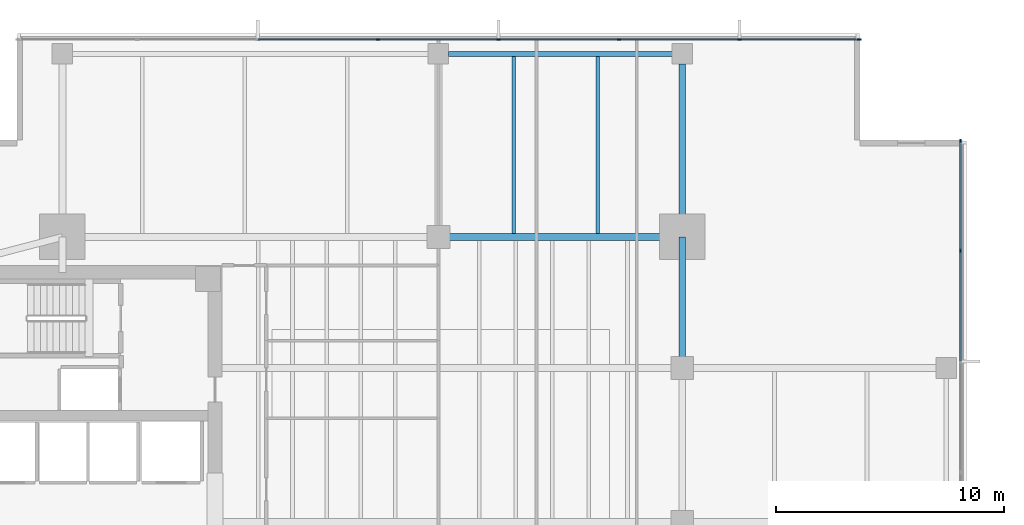
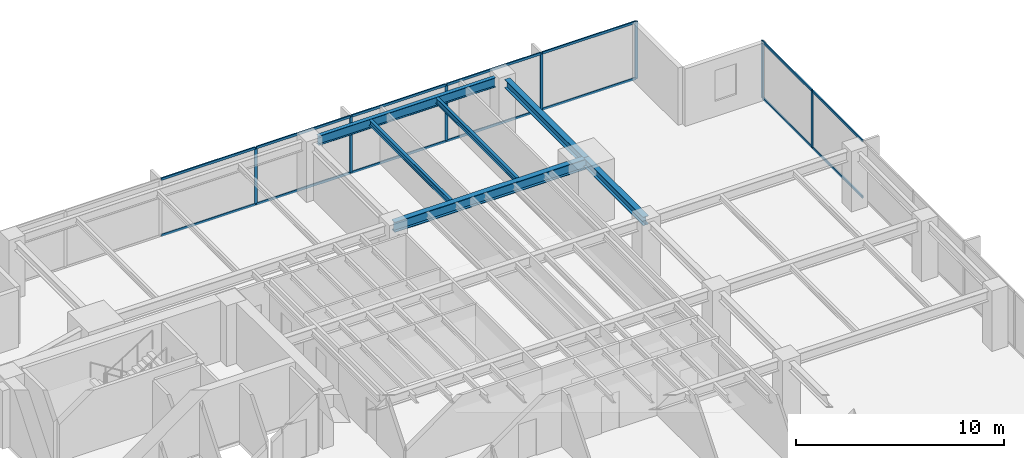
# One storey, part 6 of 14: 21 members, 6 beams, 2 elements without a shape of their own.
"""IFC4 building model written with IfcOpenShell, lengths in metres."""

from ifc_helpers import new_model, si_unit, direction, frame, origin, origin_2d, place, context, subcontext, project, spatial, rectangle, i_section, extrude, material, layer, layer_set, material_profile, profile_set, type_object, element, aggregate, save


model = new_model("IFC4")

# Units and contexts
model_context = context("Model", 3, precision=1e-05, world=origin(), true_north=direction((0.0, 1.0)))
body_context = subcontext(model_context, "Body", "Model", "MODEL_VIEW")
ifc_project = project(units=[si_unit("LENGTHUNIT", "METRE"), si_unit("AREAUNIT", "SQUARE_METRE"), si_unit("VOLUMEUNIT", "CUBIC_METRE"), si_unit("PLANEANGLEUNIT", "RADIAN"), si_unit("MASSUNIT", "GRAM", prefix="KILO")], contexts=[model_context])

# Site, building, storey
site_placement = place(None, origin())
site = spatial("IfcSite", under=ifc_project, at=site_placement, CompositionType="ELEMENT")
building_placement = place(site_placement, origin())
building = spatial("IfcBuilding", under=site, at=building_placement, Name="Kinhvarn Gate Tower", CompositionType="ELEMENT")
storey_placement = place(building_placement, frame((0.0, 0.0, 130.64990234375)))
storey = spatial("IfcBuildingStorey", under=building, at=storey_placement, Name="L34", CompositionType="ELEMENT", Elevation=130.64990234375)

# Curtain wall, members
ifc_material_1 = material(Name="Anodised aluminium AW-6063", Category="aluminium")
ifc_layer = layer(ifc_material_1, 0.179931640625)
ifc_layer_set = layer_set([ifc_layer], Name="Anodised aluminium AW-6063")
curtain_wall_type = type_object("IfcCurtainWallType", Name="CW-SYS-3", PredefinedType="NOTDEFINED", material=ifc_layer_set)
curtain_wall_1_placement = place(storey_placement, origin())
curtain_wall_1 = element("IfcCurtainWall", 1, at=curtain_wall_1_placement, inside=storey, type_object=curtain_wall_type, Name="Curtain Wall CW3 (L34)", PredefinedType="NOTDEFINED")
ifc_material_profile_1 = material_profile(ifc_material_1, rectangle(XDim=0.06494140625, YDim=0.159912109375, at=origin_2d()), Name="ALU 65x160")
ifc_profile_set_1 = profile_set([ifc_material_profile_1], Name="Anodised aluminium AW-6063")
member_type_1 = type_object("IfcMemberType", Name="CW-MUL-160", PredefinedType="MULLION", material=ifc_profile_set_1)
member_1_placement = place(storey_placement, frame((45.967529296875, 46.409912109375, 0.0), z_axis=(0.0, 0.0, 1.0), x_axis=(0.0, -1.0, 0.0)))
member_1 = element("IfcMember", 2, at=member_1_placement, type_object=member_type_1, Name="CW3 mullion 1", PredefinedType="MULLION", context=body_context, shape_type="SweptSolid", body=[
    extrude(rectangle(XDim=0.06494140625, YDim=0.159912109375, at=origin_2d()), origin(), (0.0, 0.0, 1.0), 3.3701171875),
])
member_2_placement = place(storey_placement, frame((40.71435546875, 46.409912109375, 0.0), z_axis=(0.0, 0.0, 1.0), x_axis=(0.0, -1.0, 0.0)))
member_2 = element("IfcMember", 3, at=member_2_placement, type_object=member_type_1, Name="CW3 mullion 2", PredefinedType="MULLION", context=body_context, shape_type="SweptSolid", body=[
    extrude(rectangle(XDim=0.06494140625, YDim=0.159912109375, at=origin_2d()), origin(), (0.0, 0.0, 1.0), 3.3701171875),
])
member_3_placement = place(storey_placement, frame((35.428466796875, 46.409912109375, 0.0), z_axis=(0.0, 0.0, 1.0), x_axis=(0.0, -1.0, 0.0)))
member_3 = element("IfcMember", 4, at=member_3_placement, type_object=member_type_1, Name="CW3 mullion 3", PredefinedType="MULLION", context=body_context, shape_type="SweptSolid", body=[
    extrude(rectangle(XDim=0.06494140625, YDim=0.159912109375, at=origin_2d()), origin(), (0.0, 0.0, 1.0), 3.3701171875),
])
member_4_placement = place(storey_placement, frame((30.142822265625, 46.409912109375, 0.0), z_axis=(0.0, 0.0, 1.0), x_axis=(0.0, -1.0, 0.0)))
member_4 = element("IfcMember", 5, at=member_4_placement, type_object=member_type_1, Name="CW3 mullion 4", PredefinedType="MULLION", context=body_context, shape_type="SweptSolid", body=[
    extrude(rectangle(XDim=0.06494140625, YDim=0.159912109375, at=origin_2d()), origin(), (0.0, 0.0, 1.0), 3.3701171875),
])
member_5_placement = place(storey_placement, frame((24.857177734375, 46.409912109375, 0.0), z_axis=(0.0, 0.0, 1.0), x_axis=(0.0, -1.0, 0.0)))
member_5 = element("IfcMember", 6, at=member_5_placement, type_object=member_type_1, Name="CW3 mullion 5", PredefinedType="MULLION", context=body_context, shape_type="SweptSolid", body=[
    extrude(rectangle(XDim=0.06494140625, YDim=0.159912109375, at=origin_2d()), origin(), (0.0, 0.0, 1.0), 3.3701171875),
])

curtain_wall_2_placement = place(storey_placement, origin())
curtain_wall_2 = element("IfcCurtainWall", 7, at=curtain_wall_2_placement, inside=storey, type_object=curtain_wall_type, Name="Curtain Wall CW3 (L34)", PredefinedType="NOTDEFINED")
member_6_placement = place(storey_placement, frame((50.409912109375, 37.142822265625, 0.0), z_axis=(0.0, 0.0, 1.0), x_axis=(-1.0, 0.0, 0.0)))
member_6 = element("IfcMember", 8, at=member_6_placement, type_object=member_type_1, Name="CW3 mullion 7", PredefinedType="MULLION", context=body_context, shape_type="SweptSolid", body=[
    extrude(rectangle(XDim=0.06494140625, YDim=0.159912109375, at=origin_2d()), origin(), (0.0, 0.0, 1.0), 3.3701171875),
])
member_7_placement = place(storey_placement, frame((50.409912109375, 41.967529296875, 0.0), z_axis=(0.0, 0.0, 1.0), x_axis=(-1.0, 0.0, 0.0)))
member_7 = element("IfcMember", 9, at=member_7_placement, type_object=member_type_1, Name="CW3 mullion 8", PredefinedType="MULLION", context=body_context, shape_type="SweptSolid", body=[
    extrude(rectangle(XDim=0.06494140625, YDim=0.159912109375, at=origin_2d()), origin(), (0.0, 0.0, 1.0), 3.3701171875),
])

# Member
ifc_material_profile_2 = material_profile(ifc_material_1, rectangle(XDim=0.070068359375, YDim=0.139892578125, at=origin_2d()), Name="ALU 70x140")
ifc_profile_set_2 = profile_set([ifc_material_profile_2], Name="Anodised aluminium AW-6063")
member_type_2 = type_object("IfcMemberType", Name="CW-TRN-140", PredefinedType="USERDEFINED", material=ifc_profile_set_2)
member_8_placement = place(storey_placement, frame((45.93505859375, 46.409912109375, 0.03515625), z_axis=(-1.0, 0.0, 0.0), x_axis=(0.0, -1.0, 0.0)))
member_8 = element("IfcMember", 10, at=member_8_placement, type_object=member_type_2, Name="CW3 transom 1.1", ObjectType="TRANSOM", PredefinedType="USERDEFINED", context=body_context, shape_type="SweptSolid", body=[
    extrude(rectangle(XDim=0.070068359375, YDim=0.139892578125, at=origin_2d()), origin(), (0.0, 0.0, 1.0), 5.188232421875),
])

member_9_placement = place(storey_placement, frame((45.93505859375, 46.409912109375, 3.335205078125), z_axis=(-1.0, 0.0, 0.0), x_axis=(0.0, -1.0, 0.0)))
member_9 = element("IfcMember", 11, at=member_9_placement, type_object=member_type_2, Name="CW3 transom 1.2", ObjectType="TRANSOM", PredefinedType="USERDEFINED", context=body_context, shape_type="SweptSolid", body=[
    extrude(rectangle(XDim=0.070068359375, YDim=0.139892578125, at=origin_2d()), origin(), (0.0, 0.0, 1.0), 5.188232421875),
])

member_10_placement = place(storey_placement, frame((40.681884765625, 46.409912109375, 0.03515625), z_axis=(-1.0, 0.0, 0.0), x_axis=(0.0, -1.0, 0.0)))
member_10 = element("IfcMember", 12, at=member_10_placement, type_object=member_type_2, Name="CW3 transom 2.1", ObjectType="TRANSOM", PredefinedType="USERDEFINED", context=body_context, shape_type="SweptSolid", body=[
    extrude(rectangle(XDim=0.070068359375, YDim=0.139892578125, at=origin_2d()), origin(), (0.0, 0.0, 1.0), 5.220703125),
])

member_11_placement = place(storey_placement, frame((40.681884765625, 46.409912109375, 3.335205078125), z_axis=(-1.0, 0.0, 0.0), x_axis=(0.0, -1.0, 0.0)))
member_11 = element("IfcMember", 13, at=member_11_placement, type_object=member_type_2, Name="CW3 transom 2.2", ObjectType="TRANSOM", PredefinedType="USERDEFINED", context=body_context, shape_type="SweptSolid", body=[
    extrude(rectangle(XDim=0.070068359375, YDim=0.139892578125, at=origin_2d()), origin(), (0.0, 0.0, 1.0), 5.220703125),
])

member_12_placement = place(storey_placement, frame((35.39599609375, 46.409912109375, 0.03515625), z_axis=(-1.0, 0.0, 0.0), x_axis=(0.0, -1.0, 0.0)))
member_12 = element("IfcMember", 14, at=member_12_placement, type_object=member_type_2, Name="CW3 transom 3.1", ObjectType="TRANSOM", PredefinedType="USERDEFINED", context=body_context, shape_type="SweptSolid", body=[
    extrude(rectangle(XDim=0.070068359375, YDim=0.139892578125, at=origin_2d()), origin(), (0.0, 0.0, 1.0), 5.220703125),
])

member_13_placement = place(storey_placement, frame((35.39599609375, 46.409912109375, 3.335205078125), z_axis=(-1.0, 0.0, 0.0), x_axis=(0.0, -1.0, 0.0)))
member_13 = element("IfcMember", 15, at=member_13_placement, type_object=member_type_2, Name="CW3 transom 3.2", ObjectType="TRANSOM", PredefinedType="USERDEFINED", context=body_context, shape_type="SweptSolid", body=[
    extrude(rectangle(XDim=0.070068359375, YDim=0.139892578125, at=origin_2d()), origin(), (0.0, 0.0, 1.0), 5.220703125),
])

member_14_placement = place(storey_placement, frame((30.1103515625, 46.409912109375, 0.03515625), z_axis=(-1.0, 0.0, 0.0), x_axis=(0.0, -1.0, 0.0)))
member_14 = element("IfcMember", 16, at=member_14_placement, type_object=member_type_2, Name="CW3 transom 4.1", ObjectType="TRANSOM", PredefinedType="USERDEFINED", context=body_context, shape_type="SweptSolid", body=[
    extrude(rectangle(XDim=0.070068359375, YDim=0.139892578125, at=origin_2d()), origin(), (0.0, 0.0, 1.0), 5.220703125),
])

member_15_placement = place(storey_placement, frame((30.1103515625, 46.409912109375, 3.335205078125), z_axis=(-1.0, 0.0, 0.0), x_axis=(0.0, -1.0, 0.0)))
member_15 = element("IfcMember", 17, at=member_15_placement, type_object=member_type_2, Name="CW3 transom 4.2", ObjectType="TRANSOM", PredefinedType="USERDEFINED", context=body_context, shape_type="SweptSolid", body=[
    extrude(rectangle(XDim=0.070068359375, YDim=0.139892578125, at=origin_2d()), origin(), (0.0, 0.0, 1.0), 5.220703125),
])

member_16_placement = place(storey_placement, frame((24.82470703125, 46.409912109375, 0.03515625), z_axis=(-1.0, 0.0, 0.0), x_axis=(0.0, -1.0, 0.0)))
member_16 = element("IfcMember", 18, at=member_16_placement, type_object=member_type_2, Name="CW3 transom 5.1", ObjectType="TRANSOM", PredefinedType="USERDEFINED", context=body_context, shape_type="SweptSolid", body=[
    extrude(rectangle(XDim=0.070068359375, YDim=0.139892578125, at=origin_2d()), origin(), (0.0, 0.0, 1.0), 5.220703125),
])

member_17_placement = place(storey_placement, frame((24.82470703125, 46.409912109375, 3.335205078125), z_axis=(-1.0, 0.0, 0.0), x_axis=(0.0, -1.0, 0.0)))
member_17 = element("IfcMember", 19, at=member_17_placement, type_object=member_type_2, Name="CW3 transom 5.2", ObjectType="TRANSOM", PredefinedType="USERDEFINED", context=body_context, shape_type="SweptSolid", body=[
    extrude(rectangle(XDim=0.070068359375, YDim=0.139892578125, at=origin_2d()), origin(), (0.0, 0.0, 1.0), 5.220703125),
])

aggregate(curtain_wall_1, [member_1, member_2, member_3, member_4, member_5, member_8, member_9, member_10, member_11, member_12, member_13, member_14, member_15, member_16, member_17])

member_18_placement = place(storey_placement, frame((50.409912109375, 32.318115234375, 0.03515625), z_axis=(0.0, 1.0, 0.0), x_axis=(-1.0, 0.0, 0.0)))
member_18 = element("IfcMember", 20, at=member_18_placement, type_object=member_type_2, Name="CW3 transom 6.1", ObjectType="TRANSOM", PredefinedType="USERDEFINED", context=body_context, shape_type="SweptSolid", body=[
    extrude(rectangle(XDim=0.070068359375, YDim=0.139892578125, at=origin_2d()), origin(), (0.0, 0.0, 1.0), 4.792236328125),
])

member_19_placement = place(storey_placement, frame((50.409912109375, 32.318115234375, 3.335205078125), z_axis=(0.0, 1.0, 0.0), x_axis=(-1.0, 0.0, 0.0)))
member_19 = element("IfcMember", 21, at=member_19_placement, type_object=member_type_2, Name="CW3 transom 6.2", ObjectType="TRANSOM", PredefinedType="USERDEFINED", context=body_context, shape_type="SweptSolid", body=[
    extrude(rectangle(XDim=0.070068359375, YDim=0.139892578125, at=origin_2d()), origin(), (0.0, 0.0, 1.0), 4.792236328125),
])

member_20_placement = place(storey_placement, frame((50.409912109375, 37.17529296875, 0.03515625), z_axis=(0.0, 1.0, 0.0), x_axis=(-1.0, 0.0, 0.0)))
member_20 = element("IfcMember", 22, at=member_20_placement, type_object=member_type_2, Name="CW3 transom 7.1", ObjectType="TRANSOM", PredefinedType="USERDEFINED", context=body_context, shape_type="SweptSolid", body=[
    extrude(rectangle(XDim=0.070068359375, YDim=0.139892578125, at=origin_2d()), origin(), (0.0, 0.0, 1.0), 4.759765625),
])

member_21_placement = place(storey_placement, frame((50.409912109375, 37.17529296875, 3.335205078125), z_axis=(0.0, 1.0, 0.0), x_axis=(-1.0, 0.0, 0.0)))
member_21 = element("IfcMember", 23, at=member_21_placement, type_object=member_type_2, Name="CW3 transom 7.2", ObjectType="TRANSOM", PredefinedType="USERDEFINED", context=body_context, shape_type="SweptSolid", body=[
    extrude(rectangle(XDim=0.070068359375, YDim=0.139892578125, at=origin_2d()), origin(), (0.0, 0.0, 1.0), 4.759765625),
])

aggregate(curtain_wall_2, [member_6, member_7, member_18, member_19, member_20, member_21])

# Beams
ifc_material_2 = material(Name="Steel S355", Category="steel")
ifc_material_profile_3 = material_profile(ifc_material_2, i_section(OverallWidth=0.300048828125, OverallDepth=0.5, WebThickness=0.014404296875, FlangeThickness=0.028076171875, at=origin_2d()), Name="HEB 500")
ifc_profile_set_3 = profile_set([ifc_material_profile_3], Name="Steel S355")
beam_type_1 = type_object("IfcBeamType", Name="STL-HEB500", PredefinedType="BEAM", material=ifc_profile_set_3)
beam_1_placement = place(storey_placement, frame((38.199951171875, 37.75, 3.1201171875), z_axis=(0.0, 1.0, 0.0), x_axis=(-1.0, 0.0, 0.0)))
element("IfcBeam", 24, at=beam_1_placement, inside=storey, type_object=beam_type_1, Name="Floor Beam PG-14 (L34 MCE-N)", PredefinedType="BEAM", context=body_context, shape_type="SweptSolid", body=[
    extrude(i_section(OverallWidth=0.300048828125, OverallDepth=0.5, WebThickness=0.014404296875, FlangeThickness=0.028076171875, at=origin_2d()), origin(), (0.0, 0.0, 1.0), 7.594970703125),
])
beam_2_placement = place(storey_placement, frame((38.199951171875, 32.0, 3.1201171875), z_axis=(0.0, 1.0, 0.0), x_axis=(-1.0, 0.0, 0.0)))
element("IfcBeam", 25, at=beam_2_placement, inside=storey, type_object=beam_type_1, Name="Floor Beam PG-14 (L34 MG-E-32)", PredefinedType="BEAM", context=body_context, shape_type="SweptSolid", body=[
    extrude(i_section(OverallWidth=0.300048828125, OverallDepth=0.5, WebThickness=0.014404296875, FlangeThickness=0.028076171875, at=origin_2d()), origin(), (0.0, 0.0, 1.0), 5.75),
])
ifc_material_profile_4 = material_profile(ifc_material_2, i_section(OverallWidth=0.300048828125, OverallDepth=0.60009765625, WebThickness=0.015380859375, FlangeThickness=0.030029296875, at=origin_2d()), Name="HEB 600")
ifc_profile_set_4 = profile_set([ifc_material_profile_4], Name="Steel S355")
beam_type_2 = type_object("IfcBeamType", Name="STL-HEB600", PredefinedType="BEAM", material=ifc_profile_set_4)
beam_3_placement = place(storey_placement, frame((27.5, 37.75, 3.070068359375), z_axis=(1.0, 0.0, 0.0), x_axis=(0.0, 1.0, 0.0)))
element("IfcBeam", 26, at=beam_3_placement, inside=storey, type_object=beam_type_2, Name="Floor Beam PG-16 (L34 MG-N2)", PredefinedType="BEAM", context=body_context, shape_type="SweptSolid", body=[
    extrude(i_section(OverallWidth=0.300048828125, OverallDepth=0.60009765625, WebThickness=0.015380859375, FlangeThickness=0.030029296875, at=origin_2d()), origin(), (0.0, 0.0, 1.0), 10.699951171875),
])
ifc_material_profile_5 = material_profile(ifc_material_2, i_section(OverallWidth=0.159912109375, OverallDepth=0.330078125, WebThickness=0.007568359375, FlangeThickness=0.011474609375, at=origin_2d()), Name="IPE 330")
ifc_profile_set_5 = profile_set([ifc_material_profile_5], Name="Steel S355")
beam_type_3 = type_object("IfcBeamType", Name="STL-IPE330", PredefinedType="JOIST", material=ifc_profile_set_5)
for number, where, z_axis, x_axis, name in (
    (27, (30.800048828125, 37.89990234375, 3.205078125), (0.0, 1.0, 0.0), (-1.0, 0.0, 0.0), "Floor Joist SB-03 (L34 JN-X308)"),
    (28, (34.5, 37.89990234375, 3.205078125), (0.0, 1.0, 0.0), (-1.0, 0.0, 0.0), "Floor Joist SB-03 (L34 JN-X345)"),
):
    element("IfcBeam", number, at=place(storey_placement, frame(where, z_axis=z_axis, x_axis=x_axis)), inside=storey, type_object=beam_type_3, Name=name, PredefinedType="JOIST", context=body_context, shape_type="SweptSolid", body=[
        extrude(i_section(OverallWidth=0.159912109375, OverallDepth=0.330078125, WebThickness=0.007568359375, FlangeThickness=0.011474609375, at=origin_2d()), origin(), (0.0, 0.0, 1.0), 7.775146484375),
    ])
ifc_material_profile_6 = material_profile(ifc_material_2, i_section(OverallWidth=0.2099609375, OverallDepth=0.550048828125, WebThickness=0.010986328125, FlangeThickness=0.01708984375, at=origin_2d()), Name="IPE 550")
ifc_profile_set_6 = profile_set([ifc_material_profile_6], Name="Steel S355")
beam_type_4 = type_object("IfcBeamType", Name="STL-IPE550", PredefinedType="SPANDREL", material=ifc_profile_set_6)
beam_4_placement = place(storey_placement, frame((27.93505859375, 45.780029296875, 3.09521484375), z_axis=(1.0, 0.0, 0.0), x_axis=(0.0, 1.0, 0.0)))
element("IfcBeam", 29, at=beam_4_placement, inside=storey, type_object=beam_type_4, Name="Floor Spandrel SB-08 (L34 SP-N2)", PredefinedType="SPANDREL", context=body_context, shape_type="SweptSolid", body=[
    extrude(i_section(OverallWidth=0.2099609375, OverallDepth=0.550048828125, WebThickness=0.010986328125, FlangeThickness=0.01708984375, at=origin_2d()), origin(), (0.0, 0.0, 1.0), 9.829833984375),
])

save(model, "model.ifc")
